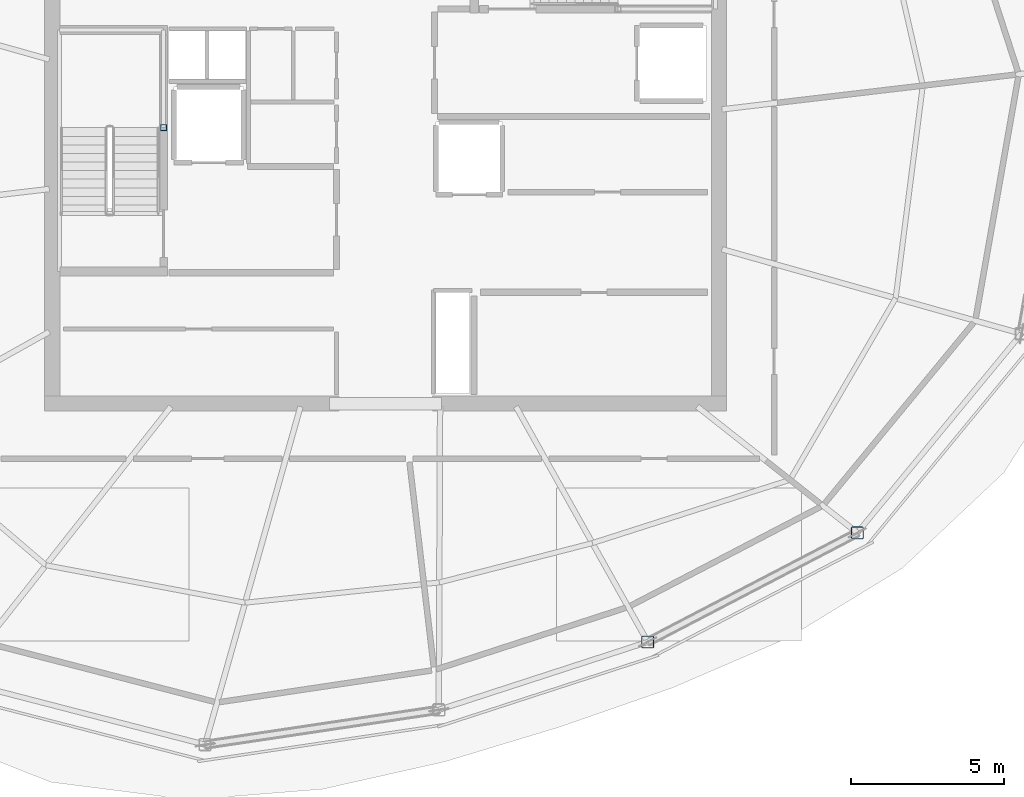
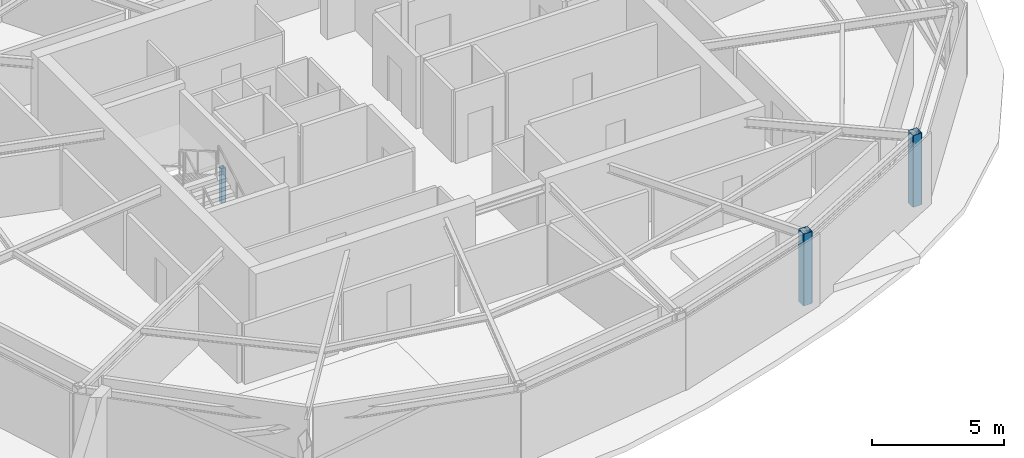
# One storey, part 2 of 10: 3 columns.
"""IFC4 building model written with IfcOpenShell, lengths in metres."""

from ifc_helpers import new_model, si_unit, direction, frame, origin, origin_2d, place, context, subcontext, project, spatial, hollow_rectangle, extrude, material, material_profile, profile_set, type_object, element, save


model = new_model("IFC4")

# Units and contexts
model_context = context("Model", 3, precision=1e-05, world=origin(), true_north=direction((0.0, 1.0)))
body_context = subcontext(model_context, "Body", "Model", "MODEL_VIEW")
ifc_project = project(units=[si_unit("LENGTHUNIT", "METRE"), si_unit("AREAUNIT", "SQUARE_METRE"), si_unit("VOLUMEUNIT", "CUBIC_METRE"), si_unit("PLANEANGLEUNIT", "RADIAN"), si_unit("MASSUNIT", "GRAM", prefix="KILO")], contexts=[model_context])

# Site, building, storey
site_placement = place(None, origin())
site = spatial("IfcSite", under=ifc_project, at=site_placement, CompositionType="ELEMENT")
building_placement = place(site_placement, origin())
building = spatial("IfcBuilding", under=site, at=building_placement, Name="Kazma Halo Residences", CompositionType="ELEMENT")
storey_placement = place(building_placement, frame((0.0, 0.0, 359.60009765625)))
storey = spatial("IfcBuildingStorey", under=building, at=storey_placement, Name="L90", CompositionType="ELEMENT", Elevation=359.60009765625)

# Columns
ifc_material = material(Name="Steel S355", Category="steel")
ifc_material_profile_1 = material_profile(ifc_material, hollow_rectangle(XDim=0.39990234375, YDim=0.39990234375, WallThickness=0.02001953125, InnerFilletRadius=0.02001953125, OuterFilletRadius=0.0400390625, at=origin_2d()), Name="SHS400x400x20")
ifc_profile_set_1 = profile_set([ifc_material_profile_1], Name="Steel S355")
column_type_1 = type_object("IfcColumnType", Name="COL-CROWN-SHS400", PredefinedType="COLUMN", material=ifc_profile_set_1)
for number, where, z_axis, x_axis, name in (
    (1, (56.9765625, 25.97119140625, 0.0), (0.0, 0.0, 1.0), (1.0, 0.0, 0.0), "L90 CROWN FRAME perimeter column P13"),
    (2, (63.815185546875, 29.532470703125, 0.0), (0.0, 0.0, 1.0), (1.0, 0.0, 0.0), "L90 CROWN FRAME perimeter column P14"),
):
    element("IfcColumn", number, at=place(storey_placement, frame(where, z_axis=z_axis, x_axis=x_axis)), inside=storey, type_object=column_type_1, Name=name, PredefinedType="COLUMN", context=body_context, shape_type="SweptSolid", body=[
        extrude(hollow_rectangle(XDim=0.39990234375, YDim=0.39990234375, WallThickness=0.02001953125, InnerFilletRadius=0.02001953125, OuterFilletRadius=0.0400390625, at=origin_2d()), origin(), (0.0, 0.0, 1.0), 3.31982421875),
    ])
ifc_material_profile_2 = material_profile(ifc_material, hollow_rectangle(XDim=0.199951171875, YDim=0.199951171875, WallThickness=0.010009765625, InnerFilletRadius=0.010009765625, OuterFilletRadius=0.02001953125, at=origin_2d()), Name="SHS200x200x10")
ifc_profile_set_2 = profile_set([ifc_material_profile_2], Name="Steel S355")
column_type_2 = type_object("IfcColumnType", Name="COL-LP-SHS200", PredefinedType="COLUMN", material=ifc_profile_set_2)
column_placement = place(storey_placement, frame((41.179931640625, 42.75, 0.0), z_axis=(0.0, 0.0, 1.0), x_axis=(1.0, 0.0, 0.0)))
element("IfcColumn", 3, at=column_placement, inside=storey, type_object=column_type_2, Name="L90 ST-01 landing pilaster 1", PredefinedType="COLUMN", context=body_context, shape_type="SweptSolid", body=[
    extrude(hollow_rectangle(XDim=0.199951171875, YDim=0.199951171875, WallThickness=0.010009765625, InnerFilletRadius=0.010009765625, OuterFilletRadius=0.02001953125, at=origin_2d()), origin(), (0.0, 0.0, 1.0), 1.594970703125),
])

save(model, "model.ifc")
